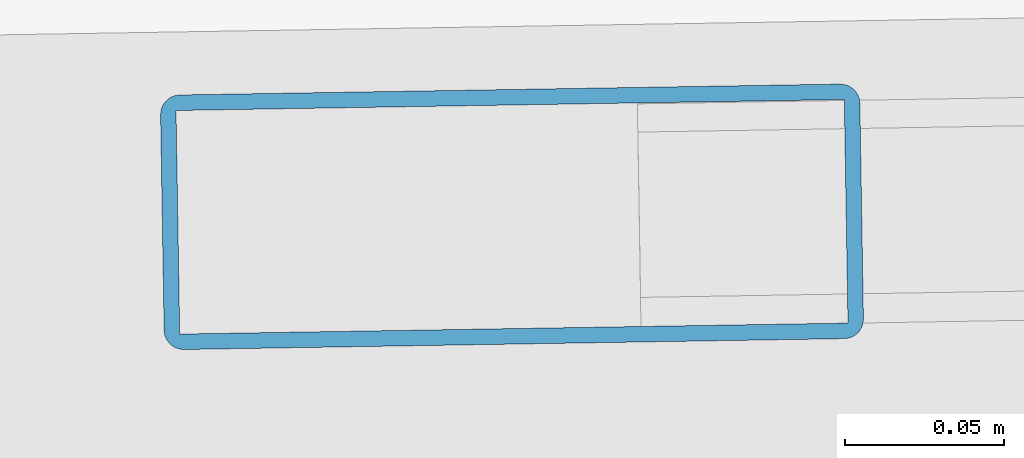
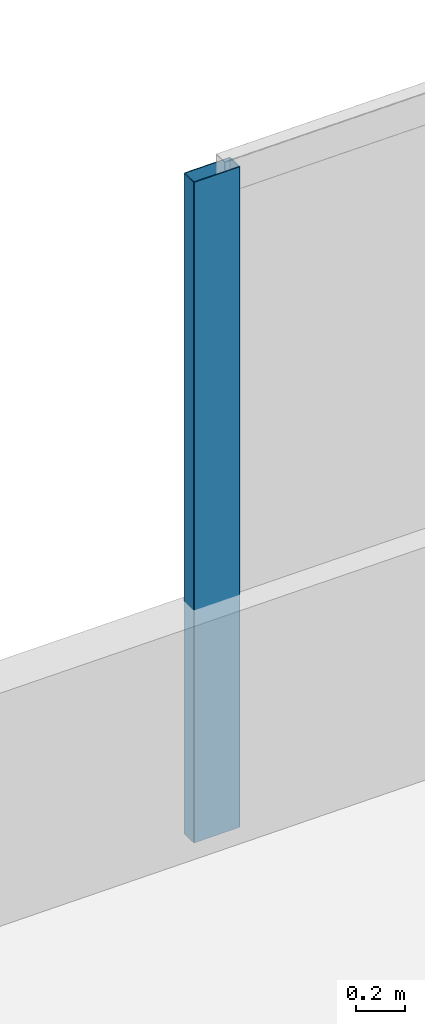
# One storey, part 4 of 14: 1 member, 1 element without a shape of its own.
"""IFC4 building model written with IfcOpenShell, lengths in metres."""

from ifc_helpers import new_model, si_unit, direction, frame, origin, origin_2d, place, context, subcontext, project, spatial, hollow_rectangle, extrude, material, material_profile, profile_set, type_object, element, aggregate, save


model = new_model("IFC4")

# Units and contexts
model_context = context("Model", 3, precision=1e-05, world=origin(), true_north=direction((0.0, 1.0)))
body_context = subcontext(model_context, "Body", "Model", "MODEL_VIEW")
ifc_project = project(units=[si_unit("LENGTHUNIT", "METRE"), si_unit("AREAUNIT", "SQUARE_METRE"), si_unit("VOLUMEUNIT", "CUBIC_METRE"), si_unit("PLANEANGLEUNIT", "RADIAN"), si_unit("MASSUNIT", "GRAM", prefix="KILO")], contexts=[model_context])

# Site, building, storey
site_placement = place(None, origin())
site = spatial("IfcSite", under=ifc_project, at=site_placement, CompositionType="ELEMENT")
building_placement = place(site_placement, origin())
building = spatial("IfcBuilding", under=site, at=building_placement, Name="Narakoshi Arena Tower", CompositionType="ELEMENT")
storey_placement = place(building_placement, frame((0.0, 0.0, 288.89990234375)))
storey = spatial("IfcBuildingStorey", under=building, at=storey_placement, Name="L79", CompositionType="ELEMENT", Elevation=288.89990234375)

# Curtain wall, member
ifc_material_1 = material(Name="Clear low-iron laminated structural glass", Category="glass")
curtain_wall_type = type_object("IfcCurtainWallType", Name="CW-OBS-TMD", PredefinedType="NOTDEFINED", material=ifc_material_1)
curtain_wall_placement = place(storey_placement, origin())
curtain_wall = element("IfcCurtainWall", 1, at=curtain_wall_placement, inside=storey, type_object=curtain_wall_type, Name="L79 Folded Hypotenuse Curtain Wall 1-2", PredefinedType="NOTDEFINED")
ifc_material_2 = material(Name="Anodised bronze aluminium 6063-T6", Category="aluminium")
ifc_material_profile = material_profile(ifc_material_2, hollow_rectangle(XDim=0.080078125, YDim=0.219970703125, WallThickness=0.0048828125, OuterFilletRadius=0.006103515625, at=origin_2d()), Name="MUL220x80x5")
ifc_profile_set = profile_set([ifc_material_profile], Name="Anodised bronze aluminium 6063-T6")
member_type = type_object("IfcMemberType", Name="MEM-MUL-220", PredefinedType="MULLION", material=ifc_profile_set)
member_placement = place(storey_placement, frame((83.08056640625, 63.668212890625, 0.0), z_axis=(0.0, 0.0, 1.0), x_axis=(0.016437304499, -0.999864898384, 0.0)))
member = element("IfcMember", 2, at=member_placement, type_object=member_type, Name="CW-05 mullion 5", PredefinedType="MULLION", context=body_context, shape_type="SweptSolid", body=[
    extrude(hollow_rectangle(XDim=0.080078125, YDim=0.219970703125, WallThickness=0.0048828125, OuterFilletRadius=0.006103515625, at=origin_2d()), origin(), (0.0, 0.0, 1.0), 3.260009765625),
])
aggregate(curtain_wall, [member])

save(model, "model.ifc")
